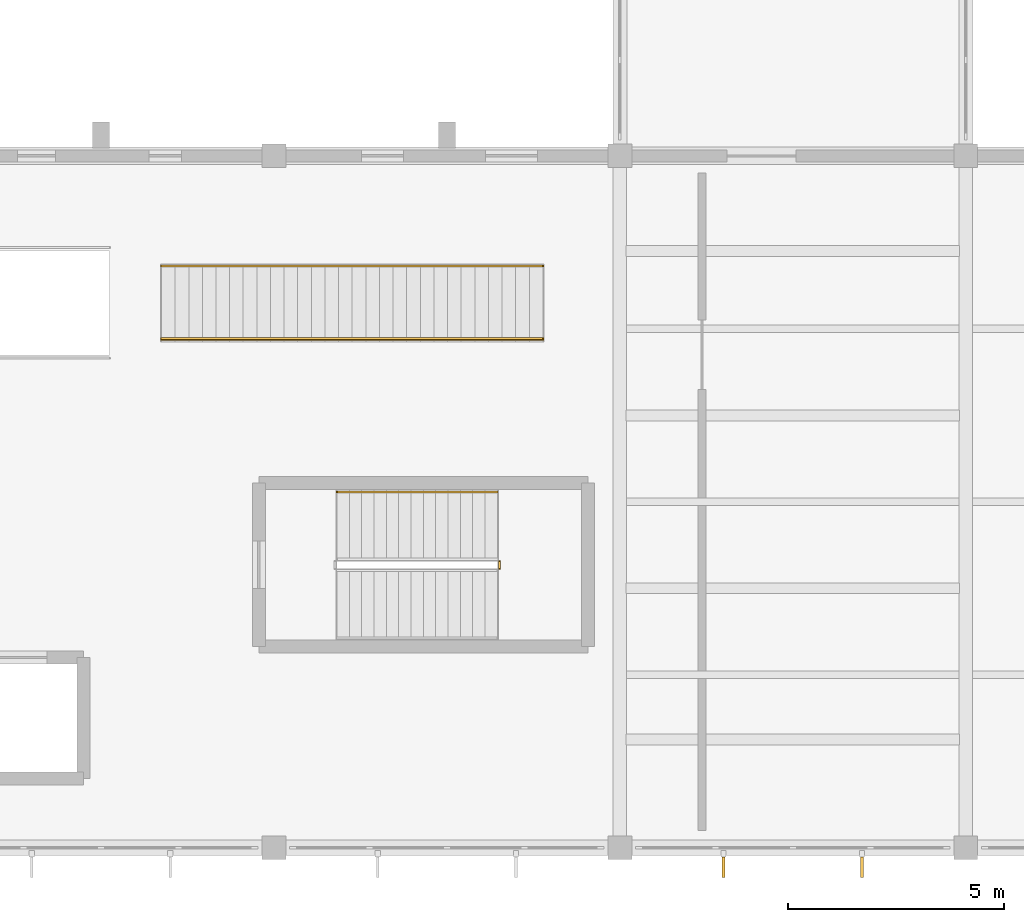
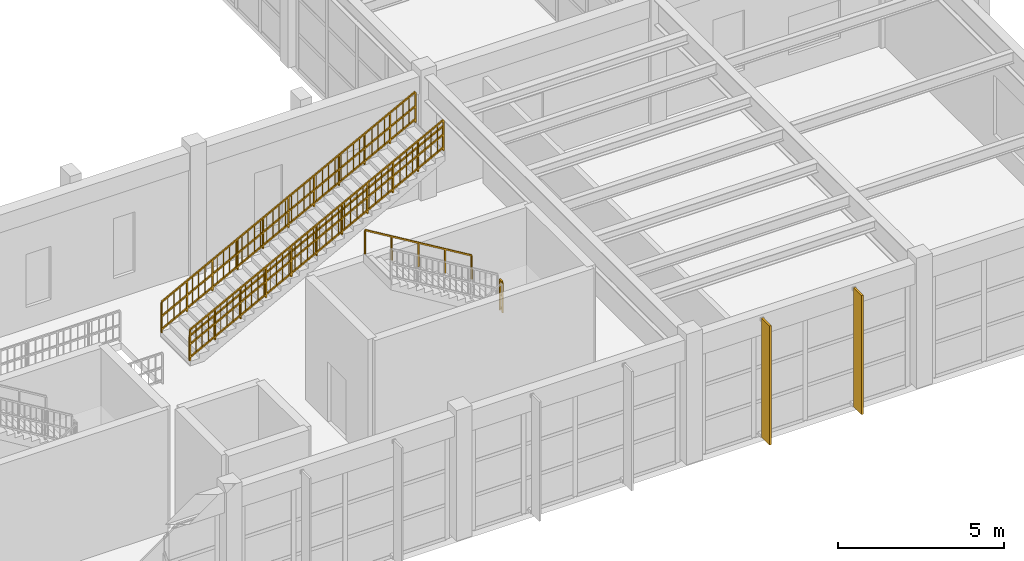
# One storey, part 55 of 59: 5 railings, 2 shading devices.
"""IFC4 building model written with IfcOpenShell, lengths in metres."""

from ifc_helpers import new_model, si_unit, direction, frame, origin, origin_2d, place, context, subcontext, project, spatial, rectangle, extrude, material, layer, layer_set, type_object, element, save


model = new_model("IFC4")

# Units and contexts
model_context = context("Model", 3, precision=1e-05, world=origin(), true_north=direction((0.0, 1.0)))
body_context = subcontext(model_context, "Body", "Model", "MODEL_VIEW")
ifc_project = project(units=[si_unit("LENGTHUNIT", "METRE"), si_unit("AREAUNIT", "SQUARE_METRE"), si_unit("VOLUMEUNIT", "CUBIC_METRE"), si_unit("PLANEANGLEUNIT", "RADIAN"), si_unit("MASSUNIT", "GRAM", prefix="KILO")], contexts=[model_context])

# Site, building, storey
site_placement = place(None, origin())
site = spatial("IfcSite", under=ifc_project, at=site_placement, CompositionType="ELEMENT")
building_placement = place(site_placement, origin())
building = spatial("IfcBuilding", under=site, at=building_placement, Name="Serraluz Foothill Cableway Terminal", CompositionType="ELEMENT")
storey_placement = place(building_placement, frame((0.0, 0.0, 4.800048828125)))
storey = spatial("IfcBuildingStorey", under=building, at=storey_placement, Name="L01", CompositionType="ELEMENT", Elevation=4.800048828125)

# Railings
ifc_material_1 = material(Name="Steel ASTM A572 Grade 50", Category="steel")
ifc_layer_1 = layer(ifc_material_1, 0.054931640625, Name="Steel ASTM A572 Grade 50", Category="steel")
ifc_layer_set_1 = layer_set([ifc_layer_1], Name="Steel ASTM A572 Grade 50")
railing_type_1 = type_object("IfcRailingType", Name="TYP-RL-GRD-1150", PredefinedType="GUARDRAIL", material=ifc_layer_set_1)
railing_1_placement = place(storey_placement, frame((117.215087890625, 6.4599609375, 2.39990234375)))
element("IfcRailing", 1, at=railing_1_placement, inside=storey, type_object=railing_type_1, Name="L01 ST-07 stair guard 2", PredefinedType="GUARDRAIL", context=body_context, shape_type="SweptSolid", body=[
    extrude(rectangle(XDim=0.048095703125, YDim=0.048095703125, at=origin_2d()), frame((0.0, 0.0, 1.1259765625), z_axis=(0.0, 1.0, 0.0), x_axis=(-1.0, 0.0, 0.0)), (0.0, 0.0, 1.0), 0.16015625),
    extrude(rectangle(XDim=0.048095703125, YDim=0.048095703125, at=origin_2d()), frame((0.0, 0.0, 0.597900390625), z_axis=(0.0, 1.0, 0.0), x_axis=(-1.0, 0.0, 0.0)), (0.0, 0.0, 1.0), 0.16015625),
    extrude(rectangle(XDim=0.048095703125, YDim=0.048095703125, at=origin_2d()), frame((0.0, 0.0, 0.1201171875), z_axis=(0.0, 1.0, 0.0), x_axis=(-1.0, 0.0, 0.0)), (0.0, 0.0, 1.0), 0.16015625),
    extrude(rectangle(XDim=0.0439453125, YDim=0.0439453125, at=origin_2d()), origin(), (0.0, 0.0, 1.0), 1.101806640625),
    extrude(rectangle(XDim=0.0439453125, YDim=0.0439453125, at=origin_2d()), frame((0.0, 0.16015625, 0.0)), (0.0, 0.0, 1.0), 1.101806640625),
])
railing_2_placement = place(storey_placement, frame((109.39990234375, 11.75, 0.16552734375)))
element("IfcRailing", 2, at=railing_2_placement, inside=storey, type_object=railing_type_1, Name="GUARDRAIL ST-F05-L", PredefinedType="GUARDRAIL", context=body_context, shape_type="SweptSolid", body=[
    extrude(rectangle(XDim=0.048095703125, YDim=0.048095703125, at=origin_2d()), frame((0.0, 0.0, 1.1259765625), z_axis=(0.88523321492, 0.0, 0.465147455333), x_axis=(0.0, 1.0, 0.0)), (0.0, 0.0, 1.0), 9.963623046875),
    extrude(rectangle(XDim=0.048095703125, YDim=0.048095703125, at=origin_2d()), frame((0.0, 0.0, 0.597900390625), z_axis=(0.88523321492, 0.0, 0.465147455333), x_axis=(0.0, 1.0, 0.0)), (0.0, 0.0, 1.0), 9.963623046875),
    extrude(rectangle(XDim=0.048095703125, YDim=0.048095703125, at=origin_2d()), frame((0.0, 0.0, 0.1201171875), z_axis=(0.88523321492, 0.0, 0.465147455333), x_axis=(0.0, 1.0, 0.0)), (0.0, 0.0, 1.0), 9.963623046875),
    extrude(rectangle(XDim=0.02001953125, YDim=0.02001953125, at=origin_2d()), frame((0.215087890625, 0.0, 0.233154296875)), (0.0, 0.0, 1.0), 0.981689453125),
    extrude(rectangle(XDim=0.02001953125, YDim=0.02001953125, at=origin_2d()), frame((0.43017578125, 0.0, 0.34619140625)), (0.0, 0.0, 1.0), 0.981689453125),
    extrude(rectangle(XDim=0.02001953125, YDim=0.02001953125, at=origin_2d()), frame((0.645263671875, 0.0, 0.459228515625)), (0.0, 0.0, 1.0), 0.981689453125),
    extrude(rectangle(XDim=0.02001953125, YDim=0.02001953125, at=origin_2d()), frame((1.07568359375, 0.0, 0.685302734375)), (0.0, 0.0, 1.0), 0.981689453125),
    extrude(rectangle(XDim=0.02001953125, YDim=0.02001953125, at=origin_2d()), frame((1.290771484375, 0.0, 0.79833984375)), (0.0, 0.0, 1.0), 0.981689453125),
    extrude(rectangle(XDim=0.02001953125, YDim=0.02001953125, at=origin_2d()), frame((1.505859375, 0.0, 0.911376953125)), (0.0, 0.0, 1.0), 0.981689453125),
    extrude(rectangle(XDim=0.02001953125, YDim=0.02001953125, at=origin_2d()), frame((1.93603515625, 0.0, 1.137451171875)), (0.0, 0.0, 1.0), 0.981689453125),
    extrude(rectangle(XDim=0.02001953125, YDim=0.02001953125, at=origin_2d()), frame((2.151123046875, 0.0, 1.25048828125)), (0.0, 0.0, 1.0), 0.981689453125),
    extrude(rectangle(XDim=0.02001953125, YDim=0.02001953125, at=origin_2d()), frame((2.366455078125, 0.0, 1.363525390625)), (0.0, 0.0, 1.0), 0.981689453125),
    extrude(rectangle(XDim=0.02001953125, YDim=0.02001953125, at=origin_2d()), frame((2.58154296875, 0.0, 1.4765625)), (0.0, 0.0, 1.0), 0.981689453125),
    extrude(rectangle(XDim=0.02001953125, YDim=0.02001953125, at=origin_2d()), frame((2.796630859375, 0.0, 1.589599609375)), (0.0, 0.0, 1.0), 0.981689453125),
    extrude(rectangle(XDim=0.02001953125, YDim=0.02001953125, at=origin_2d()), frame((3.01171875, 0.0, 1.70263671875)), (0.0, 0.0, 1.0), 0.981689453125),
    extrude(rectangle(XDim=0.02001953125, YDim=0.02001953125, at=origin_2d()), frame((3.226806640625, 0.0, 1.815673828125)), (0.0, 0.0, 1.0), 0.981689453125),
    extrude(rectangle(XDim=0.02001953125, YDim=0.02001953125, at=origin_2d()), frame((3.44189453125, 0.0, 1.9287109375)), (0.0, 0.0, 1.0), 0.981689453125),
    extrude(rectangle(XDim=0.02001953125, YDim=0.02001953125, at=origin_2d()), frame((3.656982421875, 0.0, 2.041748046875)), (0.0, 0.0, 1.0), 0.981689453125),
    extrude(rectangle(XDim=0.02001953125, YDim=0.02001953125, at=origin_2d()), frame((3.872314453125, 0.0, 2.15478515625)), (0.0, 0.0, 1.0), 0.981689453125),
    extrude(rectangle(XDim=0.02001953125, YDim=0.02001953125, at=origin_2d()), frame((4.08740234375, 0.0, 2.267822265625)), (0.0, 0.0, 1.0), 0.981689453125),
    extrude(rectangle(XDim=0.02001953125, YDim=0.02001953125, at=origin_2d()), frame((4.302490234375, 0.0, 2.380859375)), (0.0, 0.0, 1.0), 0.981689453125),
    extrude(rectangle(XDim=0.02001953125, YDim=0.02001953125, at=origin_2d()), frame((4.517578125, 0.0, 2.493896484375)), (0.0, 0.0, 1.0), 0.981689453125),
    extrude(rectangle(XDim=0.02001953125, YDim=0.02001953125, at=origin_2d()), frame((4.732666015625, 0.0, 2.60693359375)), (0.0, 0.0, 1.0), 0.981689453125),
    extrude(rectangle(XDim=0.02001953125, YDim=0.02001953125, at=origin_2d()), frame((4.94775390625, 0.0, 2.719970703125)), (0.0, 0.0, 1.0), 0.981689453125),
    extrude(rectangle(XDim=0.02001953125, YDim=0.02001953125, at=origin_2d()), frame((5.1630859375, 0.0, 2.8330078125)), (0.0, 0.0, 1.0), 0.981689453125),
    extrude(rectangle(XDim=0.02001953125, YDim=0.02001953125, at=origin_2d()), frame((5.378173828125, 0.0, 2.946044921875)), (0.0, 0.0, 1.0), 0.981689453125),
    extrude(rectangle(XDim=0.02001953125, YDim=0.02001953125, at=origin_2d()), frame((5.59326171875, 0.0, 3.05908203125)), (0.0, 0.0, 1.0), 0.981689453125),
    extrude(rectangle(XDim=0.02001953125, YDim=0.02001953125, at=origin_2d()), frame((5.808349609375, 0.0, 3.172119140625)), (0.0, 0.0, 1.0), 0.981689453125),
    extrude(rectangle(XDim=0.02001953125, YDim=0.02001953125, at=origin_2d()), frame((6.0234375, 0.0, 3.28515625)), (0.0, 0.0, 1.0), 0.981689453125),
    extrude(rectangle(XDim=0.02001953125, YDim=0.02001953125, at=origin_2d()), frame((6.238525390625, 0.0, 3.398193359375)), (0.0, 0.0, 1.0), 0.981689453125),
    extrude(rectangle(XDim=0.02001953125, YDim=0.02001953125, at=origin_2d()), frame((6.45361328125, 0.0, 3.51123046875)), (0.0, 0.0, 1.0), 0.981689453125),
    extrude(rectangle(XDim=0.02001953125, YDim=0.02001953125, at=origin_2d()), frame((6.6689453125, 0.0, 3.624267578125)), (0.0, 0.0, 1.0), 0.981689453125),
    extrude(rectangle(XDim=0.02001953125, YDim=0.02001953125, at=origin_2d()), frame((6.884033203125, 0.0, 3.7373046875)), (0.0, 0.0, 1.0), 0.981689453125),
    extrude(rectangle(XDim=0.02001953125, YDim=0.02001953125, at=origin_2d()), frame((7.314208984375, 0.0, 3.96337890625)), (0.0, 0.0, 1.0), 0.981689453125),
    extrude(rectangle(XDim=0.02001953125, YDim=0.02001953125, at=origin_2d()), frame((7.529296875, 0.0, 4.076416015625)), (0.0, 0.0, 1.0), 0.981689453125),
    extrude(rectangle(XDim=0.02001953125, YDim=0.02001953125, at=origin_2d()), frame((7.744384765625, 0.0, 4.189453125)), (0.0, 0.0, 1.0), 0.981689453125),
    extrude(rectangle(XDim=0.02001953125, YDim=0.02001953125, at=origin_2d()), frame((8.1748046875, 0.0, 4.41552734375)), (0.0, 0.0, 1.0), 0.981689453125),
    extrude(rectangle(XDim=0.02001953125, YDim=0.02001953125, at=origin_2d()), frame((8.389892578125, 0.0, 4.528564453125)), (0.0, 0.0, 1.0), 0.981689453125),
    extrude(rectangle(XDim=0.02001953125, YDim=0.02001953125, at=origin_2d()), frame((8.60498046875, 0.0, 4.6416015625)), (0.0, 0.0, 1.0), 0.981689453125),
    extrude(rectangle(XDim=0.0439453125, YDim=0.0439453125, at=origin_2d()), origin(), (0.0, 0.0, 1.0), 1.101806640625),
    extrude(rectangle(XDim=0.0439453125, YDim=0.0439453125, at=origin_2d()), frame((0.882080078125, 0.0, 0.46337890625)), (0.0, 0.0, 1.0), 1.101806640625),
    extrude(rectangle(XDim=0.0439453125, YDim=0.0439453125, at=origin_2d()), frame((1.763916015625, 0.0, 0.927001953125)), (0.0, 0.0, 1.0), 1.101806640625),
    extrude(rectangle(XDim=0.0439453125, YDim=0.0439453125, at=origin_2d()), frame((2.64599609375, 0.0, 1.390380859375)), (0.0, 0.0, 1.0), 1.101806640625),
    extrude(rectangle(XDim=0.0439453125, YDim=0.0439453125, at=origin_2d()), frame((3.528076171875, 0.0, 1.853759765625)), (0.0, 0.0, 1.0), 1.101806640625),
    extrude(rectangle(XDim=0.0439453125, YDim=0.0439453125, at=origin_2d()), frame((4.41015625, 0.0, 2.3173828125)), (0.0, 0.0, 1.0), 1.101806640625),
    extrude(rectangle(XDim=0.0439453125, YDim=0.0439453125, at=origin_2d()), frame((5.2919921875, 0.0, 2.78076171875)), (0.0, 0.0, 1.0), 1.101806640625),
    extrude(rectangle(XDim=0.0439453125, YDim=0.0439453125, at=origin_2d()), frame((6.174072265625, 0.0, 3.244140625)), (0.0, 0.0, 1.0), 1.101806640625),
    extrude(rectangle(XDim=0.0439453125, YDim=0.0439453125, at=origin_2d()), frame((7.05615234375, 0.0, 3.70751953125)), (0.0, 0.0, 1.0), 1.101806640625),
    extrude(rectangle(XDim=0.0439453125, YDim=0.0439453125, at=origin_2d()), frame((7.93798828125, 0.0, 4.171142578125)), (0.0, 0.0, 1.0), 1.101806640625),
    extrude(rectangle(XDim=0.0439453125, YDim=0.0439453125, at=origin_2d()), frame((8.820068359375, 0.0, 4.634521484375)), (0.0, 0.0, 1.0), 1.101806640625),
])
railing_3_placement = place(storey_placement, frame((109.39990234375, 13.449951171875, 0.16552734375)))
element("IfcRailing", 3, at=railing_3_placement, inside=storey, type_object=railing_type_1, Name="GUARDRAIL ST-F05-R", PredefinedType="GUARDRAIL", context=body_context, shape_type="SweptSolid", body=[
    extrude(rectangle(XDim=0.048095703125, YDim=0.048095703125, at=origin_2d()), frame((0.0, 0.0, 1.1259765625), z_axis=(0.88523321492, 0.0, 0.465147455333), x_axis=(0.0, 1.0, 0.0)), (0.0, 0.0, 1.0), 9.963623046875),
    extrude(rectangle(XDim=0.048095703125, YDim=0.048095703125, at=origin_2d()), frame((0.0, 0.0, 0.597900390625), z_axis=(0.88523321492, 0.0, 0.465147455333), x_axis=(0.0, 1.0, 0.0)), (0.0, 0.0, 1.0), 9.963623046875),
    extrude(rectangle(XDim=0.048095703125, YDim=0.048095703125, at=origin_2d()), frame((0.0, 0.0, 0.1201171875), z_axis=(0.88523321492, 0.0, 0.465147455333), x_axis=(0.0, 1.0, 0.0)), (0.0, 0.0, 1.0), 9.963623046875),
    extrude(rectangle(XDim=0.02001953125, YDim=0.02001953125, at=origin_2d()), frame((0.215087890625, 0.0, 0.233154296875)), (0.0, 0.0, 1.0), 0.981689453125),
    extrude(rectangle(XDim=0.02001953125, YDim=0.02001953125, at=origin_2d()), frame((0.43017578125, 0.0, 0.34619140625)), (0.0, 0.0, 1.0), 0.981689453125),
    extrude(rectangle(XDim=0.02001953125, YDim=0.02001953125, at=origin_2d()), frame((0.645263671875, 0.0, 0.459228515625)), (0.0, 0.0, 1.0), 0.981689453125),
    extrude(rectangle(XDim=0.02001953125, YDim=0.02001953125, at=origin_2d()), frame((1.07568359375, 0.0, 0.685302734375)), (0.0, 0.0, 1.0), 0.981689453125),
    extrude(rectangle(XDim=0.02001953125, YDim=0.02001953125, at=origin_2d()), frame((1.290771484375, 0.0, 0.79833984375)), (0.0, 0.0, 1.0), 0.981689453125),
    extrude(rectangle(XDim=0.02001953125, YDim=0.02001953125, at=origin_2d()), frame((1.505859375, 0.0, 0.911376953125)), (0.0, 0.0, 1.0), 0.981689453125),
    extrude(rectangle(XDim=0.02001953125, YDim=0.02001953125, at=origin_2d()), frame((1.93603515625, 0.0, 1.137451171875)), (0.0, 0.0, 1.0), 0.981689453125),
    extrude(rectangle(XDim=0.02001953125, YDim=0.02001953125, at=origin_2d()), frame((2.151123046875, 0.0, 1.25048828125)), (0.0, 0.0, 1.0), 0.981689453125),
    extrude(rectangle(XDim=0.02001953125, YDim=0.02001953125, at=origin_2d()), frame((2.366455078125, 0.0, 1.363525390625)), (0.0, 0.0, 1.0), 0.981689453125),
    extrude(rectangle(XDim=0.02001953125, YDim=0.02001953125, at=origin_2d()), frame((2.58154296875, 0.0, 1.4765625)), (0.0, 0.0, 1.0), 0.981689453125),
    extrude(rectangle(XDim=0.02001953125, YDim=0.02001953125, at=origin_2d()), frame((2.796630859375, 0.0, 1.589599609375)), (0.0, 0.0, 1.0), 0.981689453125),
    extrude(rectangle(XDim=0.02001953125, YDim=0.02001953125, at=origin_2d()), frame((3.01171875, 0.0, 1.70263671875)), (0.0, 0.0, 1.0), 0.981689453125),
    extrude(rectangle(XDim=0.02001953125, YDim=0.02001953125, at=origin_2d()), frame((3.226806640625, 0.0, 1.815673828125)), (0.0, 0.0, 1.0), 0.981689453125),
    extrude(rectangle(XDim=0.02001953125, YDim=0.02001953125, at=origin_2d()), frame((3.44189453125, 0.0, 1.9287109375)), (0.0, 0.0, 1.0), 0.981689453125),
    extrude(rectangle(XDim=0.02001953125, YDim=0.02001953125, at=origin_2d()), frame((3.656982421875, 0.0, 2.041748046875)), (0.0, 0.0, 1.0), 0.981689453125),
    extrude(rectangle(XDim=0.02001953125, YDim=0.02001953125, at=origin_2d()), frame((3.872314453125, 0.0, 2.15478515625)), (0.0, 0.0, 1.0), 0.981689453125),
    extrude(rectangle(XDim=0.02001953125, YDim=0.02001953125, at=origin_2d()), frame((4.08740234375, 0.0, 2.267822265625)), (0.0, 0.0, 1.0), 0.981689453125),
    extrude(rectangle(XDim=0.02001953125, YDim=0.02001953125, at=origin_2d()), frame((4.302490234375, 0.0, 2.380859375)), (0.0, 0.0, 1.0), 0.981689453125),
    extrude(rectangle(XDim=0.02001953125, YDim=0.02001953125, at=origin_2d()), frame((4.517578125, 0.0, 2.493896484375)), (0.0, 0.0, 1.0), 0.981689453125),
    extrude(rectangle(XDim=0.02001953125, YDim=0.02001953125, at=origin_2d()), frame((4.732666015625, 0.0, 2.60693359375)), (0.0, 0.0, 1.0), 0.981689453125),
    extrude(rectangle(XDim=0.02001953125, YDim=0.02001953125, at=origin_2d()), frame((4.94775390625, 0.0, 2.719970703125)), (0.0, 0.0, 1.0), 0.981689453125),
    extrude(rectangle(XDim=0.02001953125, YDim=0.02001953125, at=origin_2d()), frame((5.1630859375, 0.0, 2.8330078125)), (0.0, 0.0, 1.0), 0.981689453125),
    extrude(rectangle(XDim=0.02001953125, YDim=0.02001953125, at=origin_2d()), frame((5.378173828125, 0.0, 2.946044921875)), (0.0, 0.0, 1.0), 0.981689453125),
    extrude(rectangle(XDim=0.02001953125, YDim=0.02001953125, at=origin_2d()), frame((5.59326171875, 0.0, 3.05908203125)), (0.0, 0.0, 1.0), 0.981689453125),
    extrude(rectangle(XDim=0.02001953125, YDim=0.02001953125, at=origin_2d()), frame((5.808349609375, 0.0, 3.172119140625)), (0.0, 0.0, 1.0), 0.981689453125),
    extrude(rectangle(XDim=0.02001953125, YDim=0.02001953125, at=origin_2d()), frame((6.0234375, 0.0, 3.28515625)), (0.0, 0.0, 1.0), 0.981689453125),
    extrude(rectangle(XDim=0.02001953125, YDim=0.02001953125, at=origin_2d()), frame((6.238525390625, 0.0, 3.398193359375)), (0.0, 0.0, 1.0), 0.981689453125),
    extrude(rectangle(XDim=0.02001953125, YDim=0.02001953125, at=origin_2d()), frame((6.45361328125, 0.0, 3.51123046875)), (0.0, 0.0, 1.0), 0.981689453125),
    extrude(rectangle(XDim=0.02001953125, YDim=0.02001953125, at=origin_2d()), frame((6.6689453125, 0.0, 3.624267578125)), (0.0, 0.0, 1.0), 0.981689453125),
    extrude(rectangle(XDim=0.02001953125, YDim=0.02001953125, at=origin_2d()), frame((6.884033203125, 0.0, 3.7373046875)), (0.0, 0.0, 1.0), 0.981689453125),
    extrude(rectangle(XDim=0.02001953125, YDim=0.02001953125, at=origin_2d()), frame((7.314208984375, 0.0, 3.96337890625)), (0.0, 0.0, 1.0), 0.981689453125),
    extrude(rectangle(XDim=0.02001953125, YDim=0.02001953125, at=origin_2d()), frame((7.529296875, 0.0, 4.076416015625)), (0.0, 0.0, 1.0), 0.981689453125),
    extrude(rectangle(XDim=0.02001953125, YDim=0.02001953125, at=origin_2d()), frame((7.744384765625, 0.0, 4.189453125)), (0.0, 0.0, 1.0), 0.981689453125),
    extrude(rectangle(XDim=0.02001953125, YDim=0.02001953125, at=origin_2d()), frame((8.1748046875, 0.0, 4.41552734375)), (0.0, 0.0, 1.0), 0.981689453125),
    extrude(rectangle(XDim=0.02001953125, YDim=0.02001953125, at=origin_2d()), frame((8.389892578125, 0.0, 4.528564453125)), (0.0, 0.0, 1.0), 0.981689453125),
    extrude(rectangle(XDim=0.02001953125, YDim=0.02001953125, at=origin_2d()), frame((8.60498046875, 0.0, 4.6416015625)), (0.0, 0.0, 1.0), 0.981689453125),
    extrude(rectangle(XDim=0.0439453125, YDim=0.0439453125, at=origin_2d()), origin(), (0.0, 0.0, 1.0), 1.101806640625),
    extrude(rectangle(XDim=0.0439453125, YDim=0.0439453125, at=origin_2d()), frame((0.882080078125, 0.0, 0.46337890625)), (0.0, 0.0, 1.0), 1.101806640625),
    extrude(rectangle(XDim=0.0439453125, YDim=0.0439453125, at=origin_2d()), frame((1.763916015625, 0.0, 0.927001953125)), (0.0, 0.0, 1.0), 1.101806640625),
    extrude(rectangle(XDim=0.0439453125, YDim=0.0439453125, at=origin_2d()), frame((2.64599609375, 0.0, 1.390380859375)), (0.0, 0.0, 1.0), 1.101806640625),
    extrude(rectangle(XDim=0.0439453125, YDim=0.0439453125, at=origin_2d()), frame((3.528076171875, 0.0, 1.853759765625)), (0.0, 0.0, 1.0), 1.101806640625),
    extrude(rectangle(XDim=0.0439453125, YDim=0.0439453125, at=origin_2d()), frame((4.41015625, 0.0, 2.3173828125)), (0.0, 0.0, 1.0), 1.101806640625),
    extrude(rectangle(XDim=0.0439453125, YDim=0.0439453125, at=origin_2d()), frame((5.2919921875, 0.0, 2.78076171875)), (0.0, 0.0, 1.0), 1.101806640625),
    extrude(rectangle(XDim=0.0439453125, YDim=0.0439453125, at=origin_2d()), frame((6.174072265625, 0.0, 3.244140625)), (0.0, 0.0, 1.0), 1.101806640625),
    extrude(rectangle(XDim=0.0439453125, YDim=0.0439453125, at=origin_2d()), frame((7.05615234375, 0.0, 3.70751953125)), (0.0, 0.0, 1.0), 1.101806640625),
    extrude(rectangle(XDim=0.0439453125, YDim=0.0439453125, at=origin_2d()), frame((7.93798828125, 0.0, 4.171142578125)), (0.0, 0.0, 1.0), 1.101806640625),
    extrude(rectangle(XDim=0.0439453125, YDim=0.0439453125, at=origin_2d()), frame((8.820068359375, 0.0, 4.634521484375)), (0.0, 0.0, 1.0), 1.101806640625),
])
ifc_material_2 = material(Name="Architectural bronze alloy C28000", Category="aluminium")
ifc_layer_2 = layer(ifc_material_2, 0.048095703125, Name="Architectural bronze alloy C28000", Category="aluminium")
ifc_layer_set_2 = layer_set([ifc_layer_2], Name="Architectural bronze alloy C28000")
railing_type_2 = type_object("IfcRailingType", Name="TYP-RL-HND-920", PredefinedType="HANDRAIL", material=ifc_layer_set_2)
railing_4_placement = place(storey_placement, frame((117.1650390625, 8.22998046875, 2.5712890625)))
element("IfcRailing", 4, at=railing_4_placement, inside=storey, type_object=railing_type_2, Name="L01 ST-07 stair handrail 2", PredefinedType="HANDRAIL", context=body_context, shape_type="SweptSolid", body=[
    extrude(rectangle(XDim=0.048095703125, YDim=0.048095703125, at=origin_2d()), frame((0.0, 0.0, 0.8759765625), z_axis=(-0.856909459561, 0.0, 0.515466951525), x_axis=(0.0, -1.0, 0.0)), (0.0, 0.0, 1.0), 4.32373046875),
    extrude(rectangle(XDim=0.0439453125, YDim=0.0439453125, at=origin_2d()), origin(), (0.0, 0.0, 1.0), 0.851806640625),
    extrude(rectangle(XDim=0.0439453125, YDim=0.0439453125, at=origin_2d()), frame((-0.92626953125, 0.0, 0.55712890625)), (0.0, 0.0, 1.0), 0.851806640625),
    extrude(rectangle(XDim=0.0439453125, YDim=0.0439453125, at=origin_2d()), frame((-1.8525390625, 0.0, 1.1142578125)), (0.0, 0.0, 1.0), 0.851806640625),
    extrude(rectangle(XDim=0.0439453125, YDim=0.0439453125, at=origin_2d()), frame((-2.77880859375, 0.0, 1.671630859375)), (0.0, 0.0, 1.0), 0.851806640625),
    extrude(rectangle(XDim=0.0439453125, YDim=0.0439453125, at=origin_2d()), frame((-3.705078125, 0.0, 2.228759765625)), (0.0, 0.0, 1.0), 0.851806640625),
])
railing_5_placement = place(storey_placement, frame((109.39990234375, 11.780029296875, 0.16552734375)))
element("IfcRailing", 5, at=railing_5_placement, inside=storey, type_object=railing_type_2, Name="HANDRAIL ST-F05", PredefinedType="HANDRAIL", context=body_context, shape_type="SweptSolid", body=[
    extrude(rectangle(XDim=0.048095703125, YDim=0.048095703125, at=origin_2d()), frame((0.0, 0.0, 0.8759765625), z_axis=(0.88523321492, 0.0, 0.465147455333), x_axis=(0.0, 1.0, 0.0)), (0.0, 0.0, 1.0), 9.963623046875),
    extrude(rectangle(XDim=0.0439453125, YDim=0.0439453125, at=origin_2d()), origin(), (0.0, 0.0, 1.0), 0.851806640625),
    extrude(rectangle(XDim=0.0439453125, YDim=0.0439453125, at=origin_2d()), frame((0.882080078125, 0.0, 0.46337890625)), (0.0, 0.0, 1.0), 0.851806640625),
    extrude(rectangle(XDim=0.0439453125, YDim=0.0439453125, at=origin_2d()), frame((1.763916015625, 0.0, 0.927001953125)), (0.0, 0.0, 1.0), 0.851806640625),
    extrude(rectangle(XDim=0.0439453125, YDim=0.0439453125, at=origin_2d()), frame((2.64599609375, 0.0, 1.390380859375)), (0.0, 0.0, 1.0), 0.851806640625),
    extrude(rectangle(XDim=0.0439453125, YDim=0.0439453125, at=origin_2d()), frame((3.528076171875, 0.0, 1.853759765625)), (0.0, 0.0, 1.0), 0.851806640625),
    extrude(rectangle(XDim=0.0439453125, YDim=0.0439453125, at=origin_2d()), frame((4.41015625, 0.0, 2.3173828125)), (0.0, 0.0, 1.0), 0.851806640625),
    extrude(rectangle(XDim=0.0439453125, YDim=0.0439453125, at=origin_2d()), frame((5.2919921875, 0.0, 2.78076171875)), (0.0, 0.0, 1.0), 0.851806640625),
    extrude(rectangle(XDim=0.0439453125, YDim=0.0439453125, at=origin_2d()), frame((6.174072265625, 0.0, 3.244140625)), (0.0, 0.0, 1.0), 0.851806640625),
    extrude(rectangle(XDim=0.0439453125, YDim=0.0439453125, at=origin_2d()), frame((7.05615234375, 0.0, 3.70751953125)), (0.0, 0.0, 1.0), 0.851806640625),
    extrude(rectangle(XDim=0.0439453125, YDim=0.0439453125, at=origin_2d()), frame((7.93798828125, 0.0, 4.171142578125)), (0.0, 0.0, 1.0), 0.851806640625),
    extrude(rectangle(XDim=0.0439453125, YDim=0.0439453125, at=origin_2d()), frame((8.820068359375, 0.0, 4.634521484375)), (0.0, 0.0, 1.0), 0.851806640625),
])

# Shading devices
shading_device_type = type_object("IfcShadingDeviceType", Name="TYP-SHD-FIN-480", PredefinedType="JALOUSIE", material=ifc_material_2)
for number, where, z_axis, x_axis, name in (
    (6, (122.39990234375, -0.455078125, 0.06005859375), (0.0, 0.0, 1.0), (1.0, 0.0, 0.0), "Belvedere Vertical Solar Fin SHD-0013"),
    (7, (125.60009765625, -0.455078125, 0.06005859375), (0.0, 0.0, 1.0), (1.0, 0.0, 0.0), "Belvedere Vertical Solar Fin SHD-0015"),
):
    element("IfcShadingDevice", number, at=place(storey_placement, frame(where, z_axis=z_axis, x_axis=x_axis)), inside=storey, type_object=shading_device_type, Name=name, PredefinedType="JALOUSIE", context=body_context, shape_type="SweptSolid", body=[
        extrude(rectangle(XDim=0.06494140625, YDim=0.47998046875, at=origin_2d()), origin(), (0.0, 0.0, 1.0), 4.3798828125),
    ])

save(model, "model.ifc")
